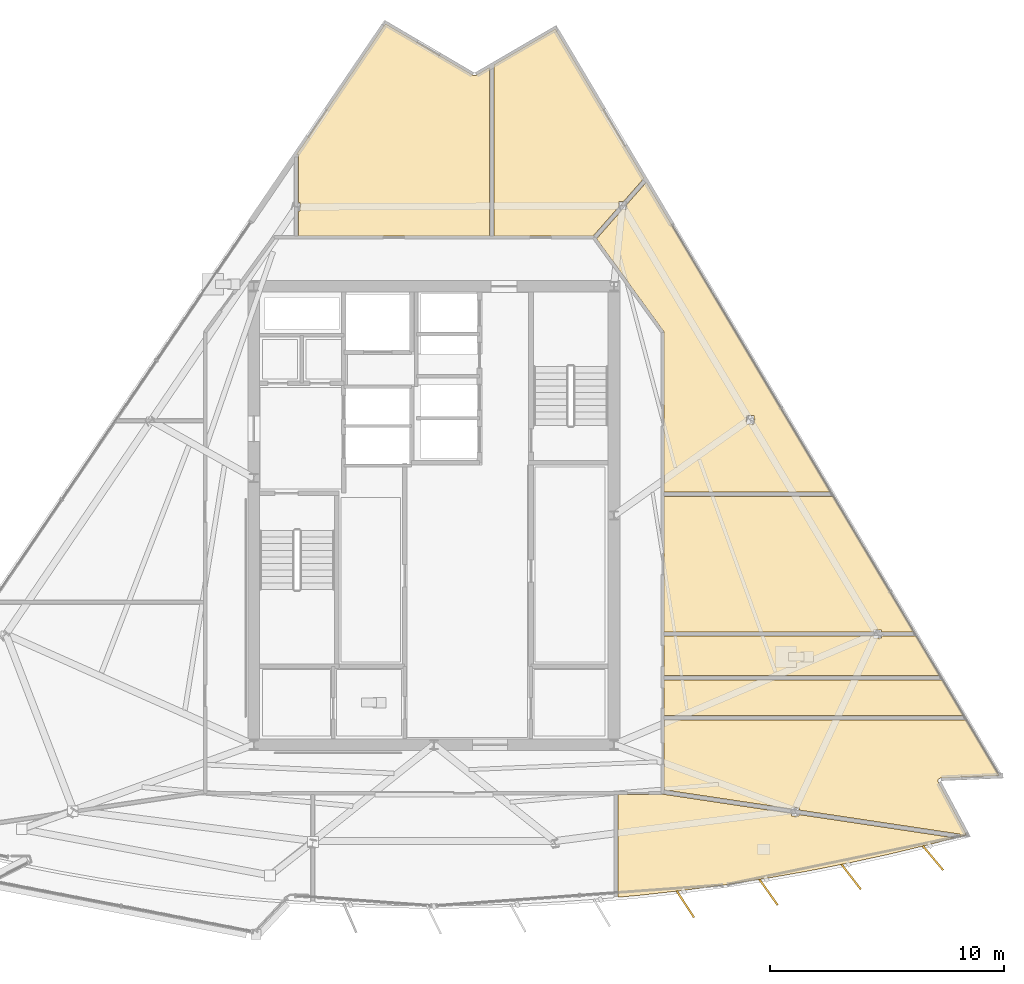
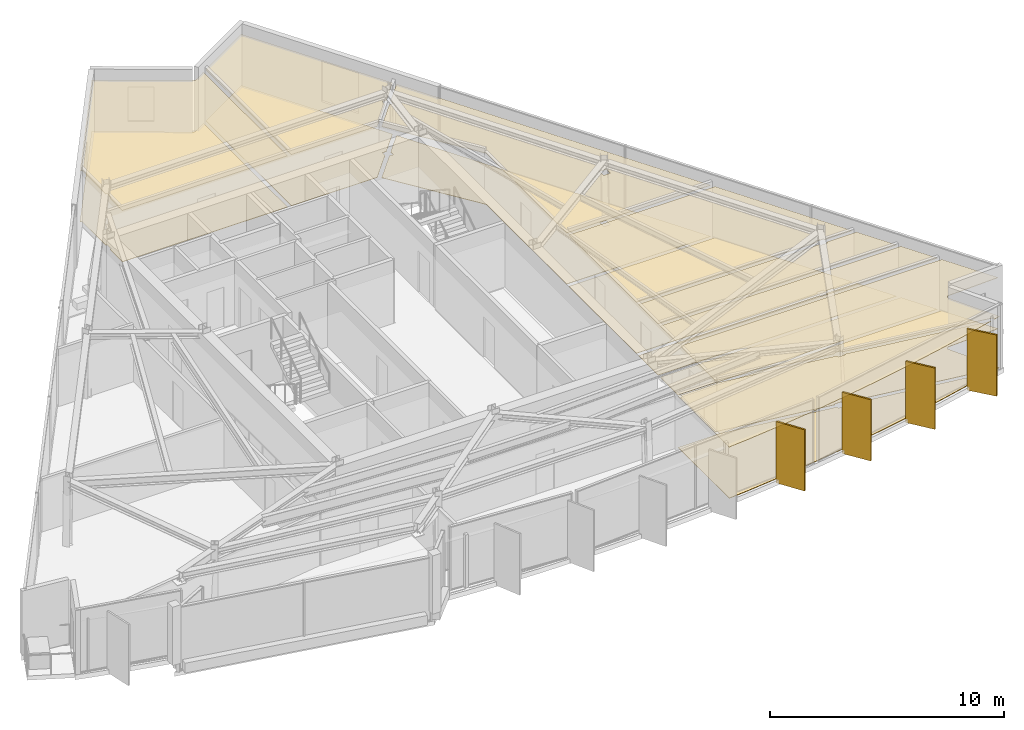
# One storey, part 12 of 13: 16 coverings, 4 shading devices.
"""IFC4 building model written with IfcOpenShell, lengths in metres."""

from ifc_helpers import new_model, si_unit, direction, frame, origin, origin_2d, place, context, subcontext, project, spatial, polyline, rectangle, outline, extrude, material, layer, layer_set, type_object, element, save


model = new_model("IFC4")

# Units and contexts
model_context = context("Model", 3, precision=1e-05, world=origin(), true_north=direction((0.0, 1.0)))
body_context = subcontext(model_context, "Body", "Model", "MODEL_VIEW")
ifc_project = project(units=[si_unit("LENGTHUNIT", "METRE"), si_unit("AREAUNIT", "SQUARE_METRE"), si_unit("VOLUMEUNIT", "CUBIC_METRE"), si_unit("PLANEANGLEUNIT", "RADIAN"), si_unit("MASSUNIT", "GRAM", prefix="KILO")], contexts=[model_context])

# Site, building, storey
site_placement = place(None, origin())
site = spatial("IfcSite", under=ifc_project, at=site_placement, CompositionType="ELEMENT")
building_placement = place(site_placement, origin())
building = spatial("IfcBuilding", under=site, at=building_placement, Name="Savorim Split Tower", CompositionType="ELEMENT")
storey_placement = place(building_placement, frame((0.0, 0.0, 272.39990234375)))
storey = spatial("IfcBuildingStorey", under=building, at=storey_placement, Name="L72", CompositionType="ELEMENT", Elevation=272.39990234375)

# Coverings
ifc_material_1 = material(Name="Mineral Fibre Acoustic Ceiling")
ifc_layer_1 = layer(ifc_material_1, 0.02490234375)
ifc_layer_set_1 = layer_set([ifc_layer_1], Name="COV-CEIL-25")
covering_type_1 = type_object("IfcCoveringType", Name="COV-CEIL-25", PredefinedType="CEILING", material=ifc_layer_set_1)
covering_1_placement = place(storey_placement, frame((0.0, 0.0, 2.670166015625)))
element("IfcCovering", 1, at=covering_1_placement, inside=storey, type_object=covering_type_1, Name="L72 Shared Kitchen Acoustic Ceiling", PredefinedType="CEILING", context=body_context, shape_type="SweptSolid", body=[
    extrude(outline(polyline([(15.962646484375, -14.80908203125), (17.712890625, -14.464599609375), (19.45556640625, -14.084228515625), (21.18994140625, -13.668212890625), (22.27490234375, -13.384521484375), (15.61083984375, -12.387451171875), (15.61083984375, -12.441650390625), (15.281982421875, -12.441650390625), (15.281982421875, -12.338134765625), (9.82275390625, -11.521240234375), (9.77978515625, -11.514892578125), (9.77783203125, -11.516357421875), (9.76611328125, -11.5234375), (9.753662109375, -11.529296875), (9.740478515625, -11.533935546875), (9.727294921875, -11.537353515625), (9.713623046875, -11.539306640625), (9.699951171875, -11.5400390625), (7.8779296875, -11.5400390625), (7.8779296875, -15.922119140625), (8.90283203125, -15.827392578125), (10.67529296875, -15.626953125), (12.443359375, -15.390380859375), (14.2060546875, -15.117919921875), (15.962646484375, -14.80908203125)])), origin(), (0.0, 0.0, 1.0), 0.02490234375),
])
covering_2_placement = place(storey_placement, frame((0.0, 0.0, 2.670166015625)))
element("IfcCovering", 2, at=covering_2_placement, inside=storey, type_object=covering_type_1, Name="L72 Quiet Study Room Acoustic Ceiling", PredefinedType="CEILING", context=body_context, shape_type="SweptSolid", body=[
    extrude(outline(polyline([(21.639404296875, -10.830810546875), (21.650634765625, -10.828857421875), (21.662109375, -10.82763671875), (24.16357421875, -10.72119140625), (22.754638671875, -8.351806640625), (9.840087890625, -8.351806640625), (9.840087890625, -11.331787109375), (15.281982421875, -12.14599609375), (15.281982421875, -12.091796875), (15.61083984375, -12.091796875), (15.61083984375, -12.1953125), (22.396728515625, -13.210693359375), (22.49072265625, -13.224853515625), (22.474609375, -13.33251953125), (22.769287109375, -13.25537109375), (21.5615234375, -11.00439453125), (21.556640625, -10.993896484375), (21.552734375, -10.983154296875), (21.5498046875, -10.971923828125), (21.548095703125, -10.96044921875), (21.54736328125, -10.948974609375), (21.547607421875, -10.9375), (21.54931640625, -10.926025390625), (21.552001953125, -10.914794921875), (21.5556640625, -10.90380859375), (21.560302734375, -10.893310546875), (21.56591796875, -10.88330078125), (21.57275390625, -10.873779296875), (21.580078125, -10.864990234375), (21.58837890625, -10.857177734375), (21.59765625, -10.849853515625), (21.607421875, -10.84375), (21.61767578125, -10.83837890625), (21.62841796875, -10.833984375), (21.639404296875, -10.830810546875)])), origin(), (0.0, 0.0, 1.0), 0.02490234375),
])
covering_3_placement = place(storey_placement, frame((0.0, 0.0, 2.670166015625)))
element("IfcCovering", 3, at=covering_3_placement, inside=storey, type_object=covering_type_1, Name="L72 Co-Living Bedroom Acoustic Ceiling", PredefinedType="CEILING", context=body_context, shape_type="SweptSolid", body=[
    extrude(outline(polyline([(22.6416015625, -8.161865234375), (21.731201171875, -6.631103515625), (9.840087890625, -6.631103515625), (9.840087890625, -8.161865234375), (22.6416015625, -8.161865234375)])), origin(), (0.0, 0.0, 1.0), 0.02490234375),
])
covering_4_placement = place(storey_placement, frame((0.0, 0.0, 2.670166015625)))
element("IfcCovering", 4, at=covering_4_placement, inside=storey, type_object=covering_type_1, Name="L72 Shared Bathroom Acoustic Ceiling", PredefinedType="CEILING", context=body_context, shape_type="SweptSolid", body=[
    extrude(outline(polyline([(18.79931640625, -4.843994140625), (18.79931640625, -4.763916015625), (9.840087890625, -4.763916015625), (9.840087890625, -6.44091796875), (21.618408203125, -6.44091796875), (20.6015625, -4.73095703125), (20.6015625, -4.763916015625), (19.128173828125, -4.763916015625), (19.128173828125, -4.843994140625), (18.79931640625, -4.843994140625)])), origin(), (0.0, 0.0, 1.0), 0.02490234375),
])
covering_5_placement = place(storey_placement, frame((0.0, 0.0, 2.670166015625)))
element("IfcCovering", 5, at=covering_5_placement, inside=storey, type_object=covering_type_1, Name="L72 Quiet Study Room Acoustic Ceiling", PredefinedType="CEILING", context=body_context, shape_type="SweptSolid", body=[
    extrude(outline(polyline([(19.128173828125, -4.493896484375), (19.128173828125, -4.573974609375), (20.506591796875, -4.573974609375), (20.50830078125, -4.573974609375), (17.072509765625, 1.203857421875), (9.840087890625, 1.203857421875), (9.840087890625, -4.573974609375), (18.79931640625, -4.573974609375), (18.79931640625, -4.493896484375), (19.128173828125, -4.493896484375)])), origin(), (0.0, 0.0, 1.0), 0.02490234375),
])
covering_6_placement = place(storey_placement, frame((0.0, 0.0, 2.670166015625)))
element("IfcCovering", 6, at=covering_6_placement, inside=storey, type_object=covering_type_1, Name="L72 Quiet Study Room Acoustic Ceiling", PredefinedType="CEILING", context=body_context, shape_type="SweptSolid", body=[
    extrude(outline(polyline([(9.8369140625, 8.22900390625), (9.839111328125, 8.214599609375), (9.840087890625, 8.199951171875), (9.840087890625, 1.393798828125), (16.959716796875, 1.393798828125), (9.08251953125, 14.64111328125), (8.240234375, 13.684814453125), (8.240234375, 13.466552734375), (8.048095703125, 13.466552734375), (6.967041015625, 12.239013671875), (6.95458984375, 12.22509765625), (9.813232421875, 8.2822265625), (9.8212890625, 8.27001953125), (9.827880859375, 8.2568359375), (9.833251953125, 8.2431640625), (9.8369140625, 8.22900390625)]), holes=[polyline([(13.68408203125, 4.311279296875), (13.68408203125, 4.661376953125), (13.355224609375, 4.661376953125), (13.355224609375, 4.311279296875), (13.68408203125, 4.311279296875)])]), origin(), (0.0, 0.0, 1.0), 0.02490234375),
])
covering_7_placement = place(storey_placement, frame((0.0, 0.0, 2.670166015625)))
element("IfcCovering", 7, at=covering_7_placement, inside=storey, type_object=covering_type_1, Name="L72 Quiet Study Room Acoustic Ceiling", PredefinedType="CEILING", context=body_context, shape_type="SweptSolid", body=[
    extrude(outline(polyline([(8.925537109375, 14.750244140625), (8.980712890625, 14.8125), (5.188720703125, 21.189697265625), (2.561279296875, 19.65869140625), (2.561279296875, 12.340087890625), (6.800048828125, 12.340087890625), (6.802490234375, 12.33984375), (7.911376953125, 13.5986328125), (7.911376953125, 13.816650390625), (8.103271484375, 13.816650390625), (8.925537109375, 14.750244140625)])), origin(), (0.0, 0.0, 1.0), 0.02490234375),
])
covering_8_placement = place(storey_placement, frame((0.0, 0.0, 2.670166015625)))
element("IfcCovering", 8, at=covering_8_placement, inside=storey, type_object=covering_type_1, Name="L72 Quiet Study Room Acoustic Ceiling", PredefinedType="CEILING", context=body_context, shape_type="SweptSolid", body=[
    extrude(outline(polyline([(1.697265625, 19.2041015625), (1.6865234375, 19.20849609375), (1.676513671875, 19.213623046875), (-2.071533203125, 21.41650390625), (-5.880859375, 15.817138671875), (-5.789794921875, 15.817138671875), (-5.789794921875, 13.767822265625), (-5.720458984375, 13.767822265625), (-5.720458984375, 13.417724609375), (-5.789794921875, 13.417724609375), (-5.789794921875, 12.340087890625), (2.37109375, 12.340087890625), (2.37109375, 19.5478515625), (1.797607421875, 19.21337890625), (1.787353515625, 19.208251953125), (1.776611328125, 19.203857421875), (1.765625, 19.20068359375), (1.75439453125, 19.198486328125), (1.742919921875, 19.197265625), (1.731201171875, 19.197265625), (1.7197265625, 19.198486328125), (1.70849609375, 19.20068359375), (1.697265625, 19.2041015625)])), origin(), (0.0, 0.0, 1.0), 0.02490234375),
])
ifc_material_2 = material(Name="Porcelain Stoneware Flooring", Category="masonry")
ifc_layer_2 = layer(ifc_material_2, 0.02001953125)
ifc_layer_set_2 = layer_set([ifc_layer_2], Name="COV-FLOR-20")
covering_type_2 = type_object("IfcCoveringType", Name="COV-FLOR-20", PredefinedType="FLOORING", material=ifc_layer_set_2)
covering_9_placement = place(storey_placement, origin())
element("IfcCovering", 9, at=covering_9_placement, inside=storey, type_object=covering_type_2, Name="L72 Shared Kitchen Porcelain Flooring", PredefinedType="FLOORING", context=body_context, shape_type="SweptSolid", body=[
    extrude(outline(polyline([(15.962646484375, -14.80908203125), (17.712890625, -14.464599609375), (19.45556640625, -14.084228515625), (21.18994140625, -13.668212890625), (22.27490234375, -13.384521484375), (15.61083984375, -12.387451171875), (15.61083984375, -12.441650390625), (15.281982421875, -12.441650390625), (15.281982421875, -12.338134765625), (9.82275390625, -11.521240234375), (9.77978515625, -11.514892578125), (9.77783203125, -11.516357421875), (9.76611328125, -11.5234375), (9.753662109375, -11.529296875), (9.740478515625, -11.533935546875), (9.727294921875, -11.537353515625), (9.713623046875, -11.539306640625), (9.699951171875, -11.5400390625), (7.8779296875, -11.5400390625), (7.8779296875, -15.922119140625), (8.90283203125, -15.827392578125), (10.67529296875, -15.626953125), (12.443359375, -15.390380859375), (14.2060546875, -15.117919921875), (15.962646484375, -14.80908203125)])), origin(), (0.0, 0.0, 1.0), 0.02001953125),
])
covering_10_placement = place(storey_placement, origin())
element("IfcCovering", 10, at=covering_10_placement, inside=storey, type_object=covering_type_2, Name="L72 Quiet Study Room Porcelain Flooring", PredefinedType="FLOORING", context=body_context, shape_type="SweptSolid", body=[
    extrude(outline(polyline([(21.639404296875, -10.830810546875), (21.650634765625, -10.828857421875), (21.662109375, -10.82763671875), (24.16357421875, -10.72119140625), (22.754638671875, -8.351806640625), (9.840087890625, -8.351806640625), (9.840087890625, -11.331787109375), (15.281982421875, -12.14599609375), (15.281982421875, -12.091796875), (15.61083984375, -12.091796875), (15.61083984375, -12.1953125), (22.396728515625, -13.210693359375), (22.49072265625, -13.224853515625), (22.474609375, -13.33251953125), (22.769287109375, -13.25537109375), (21.5615234375, -11.00439453125), (21.556640625, -10.993896484375), (21.552734375, -10.983154296875), (21.5498046875, -10.971923828125), (21.548095703125, -10.96044921875), (21.54736328125, -10.948974609375), (21.547607421875, -10.9375), (21.54931640625, -10.926025390625), (21.552001953125, -10.914794921875), (21.5556640625, -10.90380859375), (21.560302734375, -10.893310546875), (21.56591796875, -10.88330078125), (21.57275390625, -10.873779296875), (21.580078125, -10.864990234375), (21.58837890625, -10.857177734375), (21.59765625, -10.849853515625), (21.607421875, -10.84375), (21.61767578125, -10.83837890625), (21.62841796875, -10.833984375), (21.639404296875, -10.830810546875)])), origin(), (0.0, 0.0, 1.0), 0.02001953125),
])
covering_11_placement = place(storey_placement, origin())
element("IfcCovering", 11, at=covering_11_placement, inside=storey, type_object=covering_type_2, Name="L72 Co-Living Bedroom Porcelain Flooring", PredefinedType="FLOORING", context=body_context, shape_type="SweptSolid", body=[
    extrude(outline(polyline([(22.6416015625, -8.161865234375), (21.731201171875, -6.631103515625), (9.840087890625, -6.631103515625), (9.840087890625, -8.161865234375), (22.6416015625, -8.161865234375)])), origin(), (0.0, 0.0, 1.0), 0.02001953125),
])
covering_12_placement = place(storey_placement, origin())
element("IfcCovering", 12, at=covering_12_placement, inside=storey, type_object=covering_type_2, Name="L72 Shared Bathroom Porcelain Flooring", PredefinedType="FLOORING", context=body_context, shape_type="SweptSolid", body=[
    extrude(outline(polyline([(18.79931640625, -4.843994140625), (18.79931640625, -4.763916015625), (9.840087890625, -4.763916015625), (9.840087890625, -6.44091796875), (21.618408203125, -6.44091796875), (20.6015625, -4.73095703125), (20.6015625, -4.763916015625), (19.128173828125, -4.763916015625), (19.128173828125, -4.843994140625), (18.79931640625, -4.843994140625)])), origin(), (0.0, 0.0, 1.0), 0.02001953125),
])
covering_13_placement = place(storey_placement, origin())
element("IfcCovering", 13, at=covering_13_placement, inside=storey, type_object=covering_type_2, Name="L72 Quiet Study Room Porcelain Flooring", PredefinedType="FLOORING", context=body_context, shape_type="SweptSolid", body=[
    extrude(outline(polyline([(19.128173828125, -4.493896484375), (19.128173828125, -4.573974609375), (20.506591796875, -4.573974609375), (20.50830078125, -4.573974609375), (17.072509765625, 1.203857421875), (9.840087890625, 1.203857421875), (9.840087890625, -4.573974609375), (18.79931640625, -4.573974609375), (18.79931640625, -4.493896484375), (19.128173828125, -4.493896484375)])), origin(), (0.0, 0.0, 1.0), 0.02001953125),
])
covering_14_placement = place(storey_placement, origin())
element("IfcCovering", 14, at=covering_14_placement, inside=storey, type_object=covering_type_2, Name="L72 Quiet Study Room Porcelain Flooring", PredefinedType="FLOORING", context=body_context, shape_type="SweptSolid", body=[
    extrude(outline(polyline([(9.8369140625, 8.22900390625), (9.839111328125, 8.214599609375), (9.840087890625, 8.199951171875), (9.840087890625, 1.393798828125), (16.959716796875, 1.393798828125), (9.08251953125, 14.64111328125), (8.240234375, 13.684814453125), (8.240234375, 13.466552734375), (8.048095703125, 13.466552734375), (6.967041015625, 12.239013671875), (6.95458984375, 12.22509765625), (9.813232421875, 8.2822265625), (9.8212890625, 8.27001953125), (9.827880859375, 8.2568359375), (9.833251953125, 8.2431640625), (9.8369140625, 8.22900390625)]), holes=[polyline([(13.68408203125, 4.311279296875), (13.68408203125, 4.661376953125), (13.355224609375, 4.661376953125), (13.355224609375, 4.311279296875), (13.68408203125, 4.311279296875)])]), origin(), (0.0, 0.0, 1.0), 0.02001953125),
])
covering_15_placement = place(storey_placement, origin())
element("IfcCovering", 15, at=covering_15_placement, inside=storey, type_object=covering_type_2, Name="L72 Quiet Study Room Porcelain Flooring", PredefinedType="FLOORING", context=body_context, shape_type="SweptSolid", body=[
    extrude(outline(polyline([(8.925537109375, 14.750244140625), (8.980712890625, 14.8125), (5.188720703125, 21.189697265625), (2.561279296875, 19.65869140625), (2.561279296875, 12.340087890625), (6.800048828125, 12.340087890625), (6.802490234375, 12.33984375), (7.911376953125, 13.5986328125), (7.911376953125, 13.816650390625), (8.103271484375, 13.816650390625), (8.925537109375, 14.750244140625)])), origin(), (0.0, 0.0, 1.0), 0.02001953125),
])
covering_16_placement = place(storey_placement, origin())
element("IfcCovering", 16, at=covering_16_placement, inside=storey, type_object=covering_type_2, Name="L72 Quiet Study Room Porcelain Flooring", PredefinedType="FLOORING", context=body_context, shape_type="SweptSolid", body=[
    extrude(outline(polyline([(1.697265625, 19.2041015625), (1.6865234375, 19.20849609375), (1.676513671875, 19.213623046875), (-2.071533203125, 21.41650390625), (-5.880859375, 15.817138671875), (-5.789794921875, 15.817138671875), (-5.789794921875, 13.767822265625), (-5.720458984375, 13.767822265625), (-5.720458984375, 13.417724609375), (-5.789794921875, 13.417724609375), (-5.789794921875, 12.340087890625), (2.37109375, 12.340087890625), (2.37109375, 19.5478515625), (1.797607421875, 19.21337890625), (1.787353515625, 19.208251953125), (1.776611328125, 19.203857421875), (1.765625, 19.20068359375), (1.75439453125, 19.198486328125), (1.742919921875, 19.197265625), (1.731201171875, 19.197265625), (1.7197265625, 19.198486328125), (1.70849609375, 19.20068359375), (1.697265625, 19.2041015625)])), origin(), (0.0, 0.0, 1.0), 0.02001953125),
])

# Shading devices
ifc_material_3 = material(Name="Terracotta Ceramic-Coated Aluminium Fin", Category="masonry")
shading_device_type = type_object("IfcShadingDeviceType", Name="SHD-FIN-1360", PredefinedType="USERDEFINED", material=ifc_material_3)
for number, where, z_axis, x_axis, name in (
    (17, (10.748291015625, -16.218505859375, -0.19970703125), (0.0, 0.0, 1.0), (0.545148321708, -0.838339613366, 0.0), "L72 Sawtooth Shading Fin 10"),
    (18, (14.302978515625, -15.705810546875, -0.19970703125), (0.0, 0.0, 1.0), (0.578993757737, -0.815331974414, 0.0), "L72 Sawtooth Shading Fin 11"),
    (19, (17.833984375, -15.048095703125, -0.19970703125), (0.0, 0.0, 1.0), (0.611868076908, -0.790959832394, 0.0), "L72 Sawtooth Shading Fin 12"),
    (20, (21.3349609375, -14.246337890625, -0.19970703125), (0.0, 0.0, 1.0), (0.643719022682, -0.765261928909, 0.0), "L72 Sawtooth Shading Fin 13"),
):
    element("IfcShadingDevice", number, at=place(storey_placement, frame(where, z_axis=z_axis, x_axis=x_axis)), inside=storey, type_object=shading_device_type, Name=name, ObjectType="FIN", PredefinedType="USERDEFINED", context=body_context, shape_type="SweptSolid", body=[
        extrude(rectangle(XDim=1.360107421875, YDim=0.080078125, at=origin_2d()), origin(), (0.0, 0.0, 1.0), 3.199951171875),
    ])

save(model, "model.ifc")
